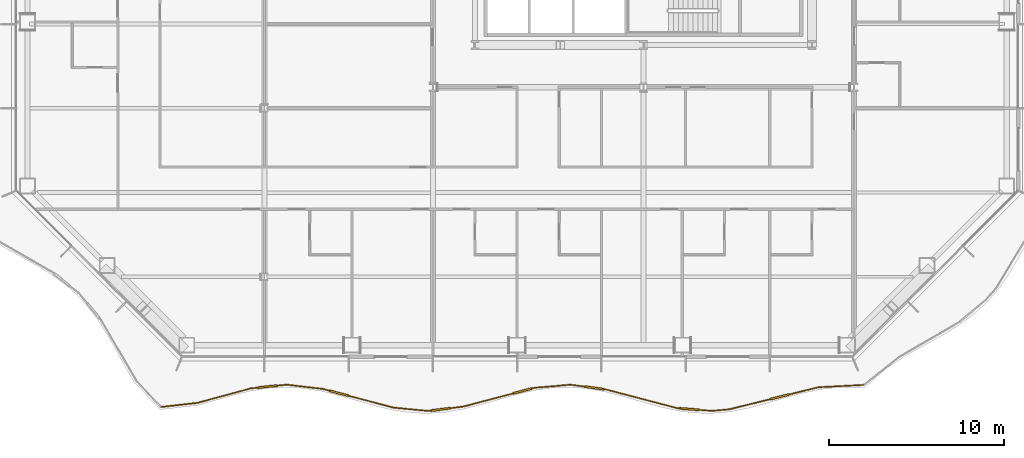
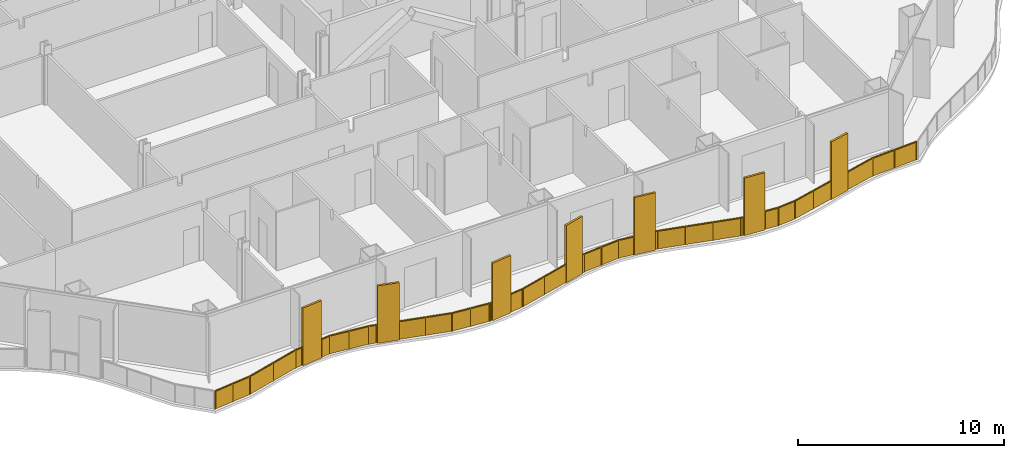
# One storey, part 15 of 20: 1 railing.
"""IFC4 building model written with IfcOpenShell, lengths in metres."""

from ifc_helpers import new_model, si_unit, direction, frame, origin, origin_2d, place, context, subcontext, project, spatial, polyline, rectangle, outline, extrude, material, type_object, element, save


model = new_model("IFC4")

# Units and contexts
model_context = context("Model", 3, precision=1e-05, world=origin(), true_north=direction((0.0, 1.0)))
body_context = subcontext(model_context, "Body", "Model", "MODEL_VIEW")
ifc_project = project(units=[si_unit("LENGTHUNIT", "METRE"), si_unit("AREAUNIT", "SQUARE_METRE"), si_unit("VOLUMEUNIT", "CUBIC_METRE"), si_unit("PLANEANGLEUNIT", "RADIAN"), si_unit("MASSUNIT", "GRAM", prefix="KILO")], contexts=[model_context])

# Site, building, storey
site_placement = place(None, origin())
site = spatial("IfcSite", under=ifc_project, at=site_placement, CompositionType="ELEMENT")
building_placement = place(site_placement, origin())
building = spatial("IfcBuilding", under=site, at=building_placement, Name="Cairn Pilgrim Tower", CompositionType="ELEMENT")
storey_placement = place(building_placement, frame((0.0, 0.0, 83.39990234375)))
storey = spatial("IfcBuildingStorey", under=building, at=storey_placement, Name="L19", CompositionType="ELEMENT", Elevation=83.39990234375)

# Railing
ifc_material = material(Name="Bronze anodised aluminium rail, posts and fin screens with laminated glass infill", Category="aluminium")
railing_type = type_object("IfcRailingType", Name="BALCONY GUARD WITH FIN SCREENS", PredefinedType="GUARDRAIL", material=ifc_material)
railing_placement = place(storey_placement, frame((-20.294189453125, -26.622802734375, 0.0)))
element("IfcRailing", 1, at=railing_placement, inside=storey, type_object=railing_type, Name="Balcony guard BGF-1 with fin screens", PredefinedType="GUARDRAIL", context=body_context, shape_type="SweptSolid", body=[
    extrude(rectangle(XDim=0.050048828125, YDim=0.050048828125, at=origin_2d()), frame((0.0, 0.0, 1.0751953125), z_axis=(0.993585282141, 0.113085309008, 0.0), x_axis=(-0.113085309008, 0.993585282141, 0.0)), (0.0, 0.0, 1.0), 2.08984375),
    extrude(rectangle(XDim=0.050048828125, YDim=0.050048828125, at=origin_2d()), frame((2.076416015625, 0.236328125, 1.0751953125), z_axis=(0.965044785258, 0.26208502904, 0.0), x_axis=(-0.26208502904, 0.965044785258, 0.0)), (0.0, 0.0, 1.0), 3.14208984375),
    extrude(rectangle(XDim=1.10009765625, YDim=0.110107421875, at=origin_2d()), frame((6.07275390625, 1.160400390625, 0.0), z_axis=(0.0, 0.0, 1.0), x_axis=(0.994613321271, 0.103654913782, 0.0)), (0.0, 0.0, 1.0), 3.39990234375),
    extrude(rectangle(XDim=0.050048828125, YDim=0.050048828125, at=origin_2d()), frame((5.108642578125, 1.059814453125, 1.0751953125), z_axis=(0.994613321271, 0.103654913782, 0.0), x_axis=(-0.103654913782, 0.994613321271, 0.0)), (0.0, 0.0, 1.0), 0.41943359375),
    extrude(rectangle(XDim=0.050048828125, YDim=0.050048828125, at=origin_2d()), frame((6.619873046875, 1.21728515625, 1.0751953125), z_axis=(0.994613321271, 0.103654913782, 0.0), x_axis=(-0.103654913782, 0.994613321271, 0.0)), (0.0, 0.0, 1.0), 0.54150390625),
    extrude(rectangle(XDim=0.050048828125, YDim=0.050048828125, at=origin_2d()), frame((7.158447265625, 1.2734375, 1.0751953125), z_axis=(0.993177246604, -0.116614565253, 0.0), x_axis=(0.116614565253, 0.993177246604, 0.0)), (0.0, 0.0, 1.0), 2.062255859375),
    extrude(rectangle(XDim=1.10009765625, YDim=0.110107421875, at=origin_2d()), frame((10.142578125, 0.78564453125, 0.0), z_axis=(0.0, 0.0, 1.0), x_axis=(0.966804610479, -0.255516819712, 0.0)), (0.0, 0.0, 1.0), 3.39990234375),
    extrude(rectangle(XDim=0.050048828125, YDim=0.050048828125, at=origin_2d()), frame((9.20654296875, 1.032958984375, 1.0751953125), z_axis=(0.966804610479, -0.255516819712, 0.0), x_axis=(0.255516819712, 0.966804610479, 0.0)), (0.0, 0.0, 1.0), 0.41796875),
    extrude(rectangle(XDim=0.050048828125, YDim=0.050048828125, at=origin_2d()), frame((10.67431640625, 0.64501953125, 1.0751953125), z_axis=(0.966804610479, -0.255516819712, 0.0), x_axis=(0.255516819712, 0.966804610479, 0.0)), (0.0, 0.0, 1.0), 2.6611328125),
    extrude(rectangle(XDim=0.050048828125, YDim=0.050048828125, at=origin_2d()), frame((13.2470703125, -0.034912109375, 1.0751953125), z_axis=(0.995474063991, -0.095033614687, 0.0), x_axis=(0.095033614687, 0.995474063991, 0.0)), (0.0, 0.0, 1.0), 2.001220703125),
    extrude(rectangle(XDim=1.10009765625, YDim=0.110107421875, at=origin_2d()), frame((15.933837890625, -0.137451171875, 0.0), z_axis=(0.0, 0.0, 1.0), x_axis=(0.99214654602, 0.125080898703, 0.0)), (0.0, 0.0, 1.0), 3.39990234375),
    extrude(rectangle(XDim=0.050048828125, YDim=0.050048828125, at=origin_2d()), frame((15.2392578125, -0.22509765625, 1.0751953125), z_axis=(0.99214654602, 0.125080898703, 0.0), x_axis=(-0.125080898703, 0.99214654602, 0.0)), (0.0, 0.0, 1.0), 0.150146484375),
    extrude(rectangle(XDim=0.050048828125, YDim=0.050048828125, at=origin_2d()), frame((16.4794921875, -0.06884765625, 1.0751953125), z_axis=(0.99214654602, 0.125080898703, 0.0), x_axis=(-0.125080898703, 0.99214654602, 0.0)), (0.0, 0.0, 1.0), 0.76025390625),
    extrude(rectangle(XDim=1.10009765625, YDim=0.110107421875, at=origin_2d()), frame((20.602294921875, 0.9150390625, 0.0), z_axis=(0.0, 0.0, 1.0), x_axis=(0.966920151627, 0.255079243331, 0.0)), (0.0, 0.0, 1.0), 3.39990234375),
    extrude(rectangle(XDim=0.050048828125, YDim=0.050048828125, at=origin_2d()), frame((17.23388671875, 0.0263671875, 1.0751953125), z_axis=(0.966920151627, 0.255079243331, 0.0), x_axis=(-0.255079243331, 0.966920151627, 0.0)), (0.0, 0.0, 1.0), 2.93359375),
    extrude(rectangle(XDim=0.050048828125, YDim=0.050048828125, at=origin_2d()), frame((21.134033203125, 1.05517578125, 1.0751953125), z_axis=(0.966920151627, 0.255079243331, 0.0), x_axis=(-0.255079243331, 0.966920151627, 0.0)), (0.0, 0.0, 1.0), 0.150146484375),
    extrude(rectangle(XDim=0.050048828125, YDim=0.050048828125, at=origin_2d()), frame((21.279052734375, 1.093505859375, 1.0751953125), z_axis=(0.996294259783, 0.086010161746, 0.0), x_axis=(-0.086010161746, 0.996294259783, 0.0)), (0.0, 0.0, 1.0), 2.057861328125),
    extrude(rectangle(XDim=1.10009765625, YDim=0.110107421875, at=origin_2d()), frame((24.682373046875, 1.088623046875, 0.0), z_axis=(0.0, 0.0, 1.0), x_axis=(0.99108379364, -0.133240061485, 0.0)), (0.0, 0.0, 1.0), 3.39990234375),
    extrude(rectangle(XDim=0.050048828125, YDim=0.050048828125, at=origin_2d()), frame((23.329345703125, 1.2705078125, 1.0751953125), z_axis=(0.99108379364, -0.133240061485, 0.0), x_axis=(0.133240061485, 0.99108379364, 0.0)), (0.0, 0.0, 1.0), 0.815185546875),
    extrude(rectangle(XDim=0.050048828125, YDim=0.050048828125, at=origin_2d()), frame((25.2275390625, 1.015380859375, 1.0751953125), z_axis=(0.99108379364, -0.133240061485, 0.0), x_axis=(0.133240061485, 0.99108379364, 0.0)), (0.0, 0.0, 1.0), 0.14990234375),
    extrude(rectangle(XDim=0.050048828125, YDim=0.050048828125, at=origin_2d()), frame((25.3759765625, 0.995361328125, 1.0751953125), z_axis=(0.967112396455, -0.254349390845, 0.0), x_axis=(0.254349390845, 0.967112396455, 0.0)), (0.0, 0.0, 1.0), 4.17529296875),
    extrude(rectangle(XDim=1.10009765625, YDim=0.110107421875, at=origin_2d()), frame((30.112060546875, -0.12060546875, 0.0), z_axis=(0.0, 0.0, 1.0), x_axis=(0.997022097783, -0.077116383037, 0.0)), (0.0, 0.0, 1.0), 3.39990234375),
    extrude(rectangle(XDim=0.050048828125, YDim=0.050048828125, at=origin_2d()), frame((29.4140625, -0.066650390625, 1.0751953125), z_axis=(0.997022097783, -0.077116383037, 0.0), x_axis=(0.077116383037, 0.997022097783, 0.0)), (0.0, 0.0, 1.0), 0.14990234375),
    extrude(rectangle(XDim=0.050048828125, YDim=0.050048828125, at=origin_2d()), frame((30.660400390625, -0.1630859375, 1.0751953125), z_axis=(0.997022097783, -0.077116383037, 0.0), x_axis=(0.077116383037, 0.997022097783, 0.0)), (0.0, 0.0, 1.0), 0.750732421875),
    extrude(rectangle(XDim=0.050048828125, YDim=0.050048828125, at=origin_2d()), frame((31.408935546875, -0.220947265625, 1.0751953125), z_axis=(0.995719697543, 0.092424476876, 0.0), x_axis=(-0.092424476876, 0.995719697543, 0.0)), (0.0, 0.0, 1.0), 0.990478515625),
    extrude(rectangle(XDim=1.10009765625, YDim=0.110107421875, at=origin_2d()), frame((35.2626953125, 0.58203125, 0.0), z_axis=(0.0, 0.0, 1.0), x_axis=(0.970571070207, 0.240814861828, 0.0)), (0.0, 0.0, 1.0), 3.39990234375),
    extrude(rectangle(XDim=0.050048828125, YDim=0.050048828125, at=origin_2d()), frame((32.395263671875, -0.12939453125, 1.0751953125), z_axis=(0.970571070207, 0.240814861828, 0.0), x_axis=(-0.240814861828, 0.970571070207, 0.0)), (0.0, 0.0, 1.0), 2.404296875),
    extrude(rectangle(XDim=0.050048828125, YDim=0.050048828125, at=origin_2d()), frame((35.79638671875, 0.714599609375, 1.0751953125), z_axis=(0.970571070207, 0.240814861828, 0.0), x_axis=(-0.240814861828, 0.970571070207, 0.0)), (0.0, 0.0, 1.0), 1.70458984375),
    extrude(rectangle(XDim=0.050048828125, YDim=0.050048828125, at=origin_2d()), frame((37.450927734375, 1.125, 1.0751953125), z_axis=(0.998649050949, 0.051962227041, 0.0), x_axis=(-0.051962227041, 0.998649050949, 0.0)), (0.0, 0.0, 1.0), 2.555908203125),
    extrude(rectangle(XDim=0.050048828125, YDim=0.050048828125, at=origin_2d()), origin(), (0.0, 0.0, 1.0), 1.050048828125),
    extrude(rectangle(XDim=0.050048828125, YDim=0.050048828125, at=origin_2d()), frame((1.0380859375, 0.1181640625, 0.0)), (0.0, 0.0, 1.0), 1.050048828125),
    extrude(rectangle(XDim=0.050048828125, YDim=0.050048828125, at=origin_2d()), frame((2.076416015625, 0.236328125, 0.0)), (0.0, 0.0, 1.0), 1.050048828125),
    extrude(rectangle(XDim=0.050048828125, YDim=0.050048828125, at=origin_2d()), frame((3.592529296875, 0.64794921875, 0.0)), (0.0, 0.0, 1.0), 1.050048828125),
    extrude(rectangle(XDim=0.050048828125, YDim=0.050048828125, at=origin_2d()), frame((5.108642578125, 1.059814453125, 0.0)), (0.0, 0.0, 1.0), 1.050048828125),
    extrude(rectangle(XDim=0.050048828125, YDim=0.050048828125, at=origin_2d()), frame((5.500732421875, 1.1005859375, 0.0)), (0.0, 0.0, 1.0), 1.050048828125),
    extrude(rectangle(XDim=0.050048828125, YDim=0.050048828125, at=origin_2d()), frame((6.644775390625, 1.219970703125, 0.0)), (0.0, 0.0, 1.0), 1.050048828125),
    extrude(rectangle(XDim=0.050048828125, YDim=0.050048828125, at=origin_2d()), frame((7.158447265625, 1.2734375, 0.0)), (0.0, 0.0, 1.0), 1.050048828125),
    extrude(rectangle(XDim=0.050048828125, YDim=0.050048828125, at=origin_2d()), frame((8.1826171875, 1.1533203125, 0.0)), (0.0, 0.0, 1.0), 1.050048828125),
    extrude(rectangle(XDim=0.050048828125, YDim=0.050048828125, at=origin_2d()), frame((9.20654296875, 1.032958984375, 0.0)), (0.0, 0.0, 1.0), 1.050048828125),
    extrude(rectangle(XDim=0.050048828125, YDim=0.050048828125, at=origin_2d()), frame((9.58642578125, 0.9326171875, 0.0)), (0.0, 0.0, 1.0), 1.050048828125),
    extrude(rectangle(XDim=0.050048828125, YDim=0.050048828125, at=origin_2d()), frame((10.698486328125, 0.638671875, 0.0)), (0.0, 0.0, 1.0), 1.050048828125),
    extrude(rectangle(XDim=0.050048828125, YDim=0.050048828125, at=origin_2d()), frame((11.97265625, 0.302001953125, 0.0)), (0.0, 0.0, 1.0), 1.050048828125),
    extrude(rectangle(XDim=0.050048828125, YDim=0.050048828125, at=origin_2d()), frame((13.2470703125, -0.034912109375, 0.0)), (0.0, 0.0, 1.0), 1.050048828125),
    extrude(rectangle(XDim=0.050048828125, YDim=0.050048828125, at=origin_2d()), frame((14.2431640625, -0.1298828125, 0.0)), (0.0, 0.0, 1.0), 1.050048828125),
    extrude(rectangle(XDim=0.050048828125, YDim=0.050048828125, at=origin_2d()), frame((15.2392578125, -0.22509765625, 0.0)), (0.0, 0.0, 1.0), 1.050048828125),
    extrude(rectangle(XDim=0.050048828125, YDim=0.050048828125, at=origin_2d()), frame((15.36328125, -0.20947265625, 0.0)), (0.0, 0.0, 1.0), 1.050048828125),
    extrude(rectangle(XDim=0.050048828125, YDim=0.050048828125, at=origin_2d()), frame((16.50439453125, -0.065673828125, 0.0)), (0.0, 0.0, 1.0), 1.050048828125),
    extrude(rectangle(XDim=0.050048828125, YDim=0.050048828125, at=origin_2d()), frame((17.23388671875, 0.0263671875, 0.0)), (0.0, 0.0, 1.0), 1.050048828125),
    extrude(rectangle(XDim=0.050048828125, YDim=0.050048828125, at=origin_2d()), frame((18.64013671875, 0.397216796875, 0.0)), (0.0, 0.0, 1.0), 1.050048828125),
    extrude(rectangle(XDim=0.050048828125, YDim=0.050048828125, at=origin_2d()), frame((20.046142578125, 0.768310546875, 0.0)), (0.0, 0.0, 1.0), 1.050048828125),
    extrude(rectangle(XDim=0.050048828125, YDim=0.050048828125, at=origin_2d()), frame((21.158203125, 1.0615234375, 0.0)), (0.0, 0.0, 1.0), 1.050048828125),
    extrude(rectangle(XDim=0.050048828125, YDim=0.050048828125, at=origin_2d()), frame((21.279052734375, 1.093505859375, 0.0)), (0.0, 0.0, 1.0), 1.050048828125),
    extrude(rectangle(XDim=0.050048828125, YDim=0.050048828125, at=origin_2d()), frame((22.30419921875, 1.18212890625, 0.0)), (0.0, 0.0, 1.0), 1.050048828125),
    extrude(rectangle(XDim=0.050048828125, YDim=0.050048828125, at=origin_2d()), frame((23.329345703125, 1.2705078125, 0.0)), (0.0, 0.0, 1.0), 1.050048828125),
    extrude(rectangle(XDim=0.050048828125, YDim=0.050048828125, at=origin_2d()), frame((24.1123046875, 1.165283203125, 0.0)), (0.0, 0.0, 1.0), 1.050048828125),
    extrude(rectangle(XDim=0.050048828125, YDim=0.050048828125, at=origin_2d()), frame((25.252197265625, 1.011962890625, 0.0)), (0.0, 0.0, 1.0), 1.050048828125),
    extrude(rectangle(XDim=0.050048828125, YDim=0.050048828125, at=origin_2d()), frame((25.3759765625, 0.995361328125, 0.0)), (0.0, 0.0, 1.0), 1.050048828125),
    extrude(rectangle(XDim=0.050048828125, YDim=0.050048828125, at=origin_2d()), frame((26.721923828125, 0.641357421875, 0.0)), (0.0, 0.0, 1.0), 1.050048828125),
    extrude(rectangle(XDim=0.050048828125, YDim=0.050048828125, at=origin_2d()), frame((28.068115234375, 0.287353515625, 0.0)), (0.0, 0.0, 1.0), 1.050048828125),
    extrude(rectangle(XDim=0.050048828125, YDim=0.050048828125, at=origin_2d()), frame((29.4140625, -0.066650390625, 0.0)), (0.0, 0.0, 1.0), 1.050048828125),
    extrude(rectangle(XDim=0.050048828125, YDim=0.050048828125, at=origin_2d()), frame((29.53857421875, -0.076171875, 0.0)), (0.0, 0.0, 1.0), 1.050048828125),
    extrude(rectangle(XDim=0.050048828125, YDim=0.050048828125, at=origin_2d()), frame((30.685302734375, -0.1650390625, 0.0)), (0.0, 0.0, 1.0), 1.050048828125),
    extrude(rectangle(XDim=0.050048828125, YDim=0.050048828125, at=origin_2d()), frame((31.408935546875, -0.220947265625, 0.0)), (0.0, 0.0, 1.0), 1.050048828125),
    extrude(rectangle(XDim=0.050048828125, YDim=0.050048828125, at=origin_2d()), frame((32.395263671875, -0.12939453125, 0.0)), (0.0, 0.0, 1.0), 1.050048828125),
    extrude(rectangle(XDim=0.050048828125, YDim=0.050048828125, at=origin_2d()), frame((33.5498046875, 0.156982421875, 0.0)), (0.0, 0.0, 1.0), 1.050048828125),
    extrude(rectangle(XDim=0.050048828125, YDim=0.050048828125, at=origin_2d()), frame((34.70458984375, 0.443603515625, 0.0)), (0.0, 0.0, 1.0), 1.050048828125),
    extrude(rectangle(XDim=0.050048828125, YDim=0.050048828125, at=origin_2d()), frame((35.82080078125, 0.720458984375, 0.0)), (0.0, 0.0, 1.0), 1.050048828125),
    extrude(rectangle(XDim=0.050048828125, YDim=0.050048828125, at=origin_2d()), frame((37.450927734375, 1.125, 0.0)), (0.0, 0.0, 1.0), 1.050048828125),
    extrude(rectangle(XDim=0.050048828125, YDim=0.050048828125, at=origin_2d()), frame((38.72705078125, 1.19140625, 0.0)), (0.0, 0.0, 1.0), 1.050048828125),
    extrude(rectangle(XDim=0.050048828125, YDim=0.050048828125, at=origin_2d()), frame((40.00341796875, 1.2578125, 0.0)), (0.0, 0.0, 1.0), 1.050048828125),
    extrude(outline(polyline([(0.02490234375, 0.0), (1.019775390625, 0.0), (1.019775390625, 1.050048828125), (0.02490234375, 1.050048828125), (0.02490234375, 0.0)])), frame((-0.000732421875, 0.005859375, 0.0), z_axis=(0.113085309008, -0.993585282141, 0.0), x_axis=(0.993585282141, 0.113085309008, 0.0)), (0.0, 0.0, 1.0), 0.011962890625),
    extrude(outline(polyline([(0.02490234375, 0.0), (1.019775390625, 0.0), (1.019775390625, 1.050048828125), (0.02490234375, 1.050048828125), (0.02490234375, 0.0)])), frame((1.03759765625, 0.1240234375, 0.0), z_axis=(0.113085309008, -0.993585282141, 0.0), x_axis=(0.993585282141, 0.113085309008, 0.0)), (0.0, 0.0, 1.0), 0.011962890625),
    extrude(outline(polyline([(0.02490234375, 0.0), (1.5458984375, 0.0), (1.5458984375, 1.050048828125), (0.02490234375, 1.050048828125), (0.02490234375, 0.0)])), frame((2.074951171875, 0.2421875, 0.0), z_axis=(0.26208502904, -0.965044785258, 0.0), x_axis=(0.965044785258, 0.26208502904, 0.0)), (0.0, 0.0, 1.0), 0.011962890625),
    extrude(outline(polyline([(0.02490234375, 0.0), (1.5458984375, 0.0), (1.5458984375, 1.050048828125), (0.02490234375, 1.050048828125), (0.02490234375, 0.0)])), frame((3.591064453125, 0.65380859375, 0.0), z_axis=(0.26208502904, -0.965044785258, 0.0), x_axis=(0.965044785258, 0.26208502904, 0.0)), (0.0, 0.0, 1.0), 0.011962890625),
    extrude(outline(polyline([(0.02490234375, 0.0), (0.369384765625, 0.0), (0.369384765625, 1.050048828125), (0.02490234375, 1.050048828125), (0.02490234375, 0.0)])), frame((5.10791015625, 1.065673828125, 0.0), z_axis=(0.103654913782, -0.994613321271, 0.0), x_axis=(0.994613321271, 0.103654913782, 0.0)), (0.0, 0.0, 1.0), 0.011962890625),
    extrude(outline(polyline([(0.02490234375, 0.0), (0.491455078125, 0.0), (0.491455078125, 1.050048828125), (0.02490234375, 1.050048828125), (0.02490234375, 0.0)])), frame((6.64404296875, 1.225830078125, 0.0), z_axis=(0.103654913782, -0.994613321271, 0.0), x_axis=(0.994613321271, 0.103654913782, 0.0)), (0.0, 0.0, 1.0), 0.011962890625),
    extrude(outline(polyline([(0.02490234375, 0.0), (1.006103515625, 0.0), (1.006103515625, 1.050048828125), (0.02490234375, 1.050048828125), (0.02490234375, 0.0)])), frame((7.1591796875, 1.279296875, 0.0), z_axis=(-0.116614565253, -0.993177246604, 0.0), x_axis=(0.993177246604, -0.116614565253, 0.0)), (0.0, 0.0, 1.0), 0.011962890625),
    extrude(outline(polyline([(0.02490234375, 0.0), (1.006103515625, 0.0), (1.006103515625, 1.050048828125), (0.02490234375, 1.050048828125), (0.02490234375, 0.0)])), frame((8.18310546875, 1.1591796875, 0.0), z_axis=(-0.116614565253, -0.993177246604, 0.0), x_axis=(0.993177246604, -0.116614565253, 0.0)), (0.0, 0.0, 1.0), 0.011962890625),
    extrude(outline(polyline([(0.02490234375, 0.0), (0.367919921875, 0.0), (0.367919921875, 1.050048828125), (0.02490234375, 1.050048828125), (0.02490234375, 0.0)])), frame((9.2080078125, 1.038818359375, 0.0), z_axis=(-0.255516819712, -0.966804610479, 0.0), x_axis=(0.966804610479, -0.255516819712, 0.0)), (0.0, 0.0, 1.0), 0.011962890625),
    extrude(outline(polyline([(0.02490234375, 0.0), (1.29296875, 0.0), (1.29296875, 1.050048828125), (0.02490234375, 1.050048828125), (0.02490234375, 0.0)])), frame((10.699951171875, 0.64453125, 0.0), z_axis=(-0.255516819712, -0.966804610479, 0.0), x_axis=(0.966804610479, -0.255516819712, 0.0)), (0.0, 0.0, 1.0), 0.011962890625),
    extrude(outline(polyline([(0.02490234375, 0.0), (1.29296875, 0.0), (1.29296875, 1.050048828125), (0.02490234375, 1.050048828125), (0.02490234375, 0.0)])), frame((11.974365234375, 0.3076171875, 0.0), z_axis=(-0.255516819712, -0.966804610479, 0.0), x_axis=(0.966804610479, -0.255516819712, 0.0)), (0.0, 0.0, 1.0), 0.011962890625),
    extrude(outline(polyline([(0.02490234375, 0.0), (0.9755859375, 0.0), (0.9755859375, 1.050048828125), (0.02490234375, 1.050048828125), (0.02490234375, 0.0)])), frame((13.24755859375, -0.029052734375, 0.0), z_axis=(-0.095033614687, -0.995474063991, 0.0), x_axis=(0.995474063991, -0.095033614687, 0.0)), (0.0, 0.0, 1.0), 0.011962890625),
    extrude(outline(polyline([(0.02490234375, 0.0), (0.9755859375, 0.0), (0.9755859375, 1.050048828125), (0.02490234375, 1.050048828125), (0.02490234375, 0.0)])), frame((14.24365234375, -0.1240234375, 0.0), z_axis=(-0.095033614687, -0.995474063991, 0.0), x_axis=(0.995474063991, -0.095033614687, 0.0)), (0.0, 0.0, 1.0), 0.011962890625),
    extrude(outline(polyline([(0.02490234375, 0.0), (0.10009765625, 0.0), (0.10009765625, 1.050048828125), (0.02490234375, 1.050048828125), (0.02490234375, 0.0)])), frame((15.238525390625, -0.21923828125, 0.0), z_axis=(0.125080898703, -0.99214654602, 0.0), x_axis=(0.99214654602, 0.125080898703, 0.0)), (0.0, 0.0, 1.0), 0.011962890625),
    extrude(outline(polyline([(0.02490234375, 0.0), (0.710205078125, 0.0), (0.710205078125, 1.050048828125), (0.02490234375, 1.050048828125), (0.02490234375, 0.0)])), frame((16.503662109375, -0.0595703125, 0.0), z_axis=(0.125080898703, -0.99214654602, 0.0), x_axis=(0.99214654602, 0.125080898703, 0.0)), (0.0, 0.0, 1.0), 0.011962890625),
    extrude(outline(polyline([(0.02490234375, 0.0), (1.42919921875, 0.0), (1.42919921875, 1.050048828125), (0.02490234375, 1.050048828125), (0.02490234375, 0.0)])), frame((17.232421875, 0.0322265625, 0.0), z_axis=(0.255079243331, -0.966920151627, 0.0), x_axis=(0.966920151627, 0.255079243331, 0.0)), (0.0, 0.0, 1.0), 0.011962890625),
    extrude(outline(polyline([(0.02490234375, 0.0), (1.42919921875, 0.0), (1.42919921875, 1.050048828125), (0.02490234375, 1.050048828125), (0.02490234375, 0.0)])), frame((18.638427734375, 0.403076171875, 0.0), z_axis=(0.255079243331, -0.966920151627, 0.0), x_axis=(0.966920151627, 0.255079243331, 0.0)), (0.0, 0.0, 1.0), 0.011962890625),
    extrude(outline(polyline([(0.02490234375, 0.0), (0.10009765625, 0.0), (0.10009765625, 1.050048828125), (0.02490234375, 1.050048828125), (0.02490234375, 0.0)])), frame((21.15673828125, 1.0673828125, 0.0), z_axis=(0.255079243331, -0.966920151627, 0.0), x_axis=(0.966920151627, 0.255079243331, 0.0)), (0.0, 0.0, 1.0), 0.011962890625),
    extrude(outline(polyline([(0.02490234375, 0.0), (1.00390625, 0.0), (1.00390625, 1.050048828125), (0.02490234375, 1.050048828125), (0.02490234375, 0.0)])), frame((21.278564453125, 1.099365234375, 0.0), z_axis=(0.086010161746, -0.996294259783, 0.0), x_axis=(0.996294259783, 0.086010161746, 0.0)), (0.0, 0.0, 1.0), 0.011962890625),
    extrude(outline(polyline([(0.02490234375, 0.0), (1.00390625, 0.0), (1.00390625, 1.050048828125), (0.02490234375, 1.050048828125), (0.02490234375, 0.0)])), frame((22.3037109375, 1.18798828125, 0.0), z_axis=(0.086010161746, -0.996294259783, 0.0), x_axis=(0.996294259783, 0.086010161746, 0.0)), (0.0, 0.0, 1.0), 0.011962890625),
    extrude(outline(polyline([(0.02490234375, 0.0), (0.76513671875, 0.0), (0.76513671875, 1.050048828125), (0.02490234375, 1.050048828125), (0.02490234375, 0.0)])), frame((23.330078125, 1.2763671875, 0.0), z_axis=(-0.133240061485, -0.99108379364, 0.0), x_axis=(0.99108379364, -0.133240061485, 0.0)), (0.0, 0.0, 1.0), 0.011962890625),
    extrude(outline(polyline([(0.02490234375, 0.0), (0.099853515625, 0.0), (0.099853515625, 1.050048828125), (0.02490234375, 1.050048828125), (0.02490234375, 0.0)])), frame((25.2529296875, 1.017822265625, 0.0), z_axis=(-0.133240061485, -0.99108379364, 0.0), x_axis=(0.99108379364, -0.133240061485, 0.0)), (0.0, 0.0, 1.0), 0.011962890625),
    extrude(outline(polyline([(0.02490234375, 0.0), (1.36669921875, 0.0), (1.36669921875, 1.050048828125), (0.02490234375, 1.050048828125), (0.02490234375, 0.0)])), frame((25.37744140625, 1.001220703125, 0.0), z_axis=(-0.254349390845, -0.967112396455, 0.0), x_axis=(0.967112396455, -0.254349390845, 0.0)), (0.0, 0.0, 1.0), 0.011962890625),
    extrude(outline(polyline([(0.02490234375, 0.0), (1.36669921875, 0.0), (1.36669921875, 1.050048828125), (0.02490234375, 1.050048828125), (0.02490234375, 0.0)])), frame((26.7236328125, 0.647216796875, 0.0), z_axis=(-0.254349390845, -0.967112396455, 0.0), x_axis=(0.967112396455, -0.254349390845, 0.0)), (0.0, 0.0, 1.0), 0.011962890625),
    extrude(outline(polyline([(0.02490234375, 0.0), (1.36669921875, 0.0), (1.36669921875, 1.050048828125), (0.02490234375, 1.050048828125), (0.02490234375, 0.0)])), frame((28.069580078125, 0.293212890625, 0.0), z_axis=(-0.254349390845, -0.967112396455, 0.0), x_axis=(0.967112396455, -0.254349390845, 0.0)), (0.0, 0.0, 1.0), 0.011962890625),
    extrude(outline(polyline([(0.02490234375, 0.0), (0.099853515625, 0.0), (0.099853515625, 1.050048828125), (0.02490234375, 1.050048828125), (0.02490234375, 0.0)])), frame((29.41455078125, -0.060791015625, 0.0), z_axis=(-0.077116383037, -0.997022097783, 0.0), x_axis=(0.997022097783, -0.077116383037, 0.0)), (0.0, 0.0, 1.0), 0.011962890625),
    extrude(outline(polyline([(0.02490234375, 0.0), (0.70068359375, 0.0), (0.70068359375, 1.050048828125), (0.02490234375, 1.050048828125), (0.02490234375, 0.0)])), frame((30.685791015625, -0.158935546875, 0.0), z_axis=(-0.077116383037, -0.997022097783, 0.0), x_axis=(0.997022097783, -0.077116383037, 0.0)), (0.0, 0.0, 1.0), 0.011962890625),
    extrude(outline(polyline([(0.02490234375, 0.0), (0.965576171875, 0.0), (0.965576171875, 1.050048828125), (0.02490234375, 1.050048828125), (0.02490234375, 0.0)])), frame((31.408447265625, -0.215087890625, 0.0), z_axis=(0.092424476876, -0.995719697543, 0.0), x_axis=(0.995719697543, 0.092424476876, 0.0)), (0.0, 0.0, 1.0), 0.011962890625),
    extrude(outline(polyline([(0.02490234375, 0.0), (1.16455078125, 0.0), (1.16455078125, 1.050048828125), (0.02490234375, 1.050048828125), (0.02490234375, 0.0)])), frame((32.393798828125, -0.12353515625, 0.0), z_axis=(0.240814861828, -0.970571070207, 0.0), x_axis=(0.970571070207, 0.240814861828, 0.0)), (0.0, 0.0, 1.0), 0.011962890625),
    extrude(outline(polyline([(0.02490234375, 0.0), (1.16455078125, 0.0), (1.16455078125, 1.050048828125), (0.02490234375, 1.050048828125), (0.02490234375, 0.0)])), frame((33.54833984375, 0.162841796875, 0.0), z_axis=(0.240814861828, -0.970571070207, 0.0), x_axis=(0.970571070207, 0.240814861828, 0.0)), (0.0, 0.0, 1.0), 0.011962890625),
    extrude(outline(polyline([(0.02490234375, 0.0), (1.654541015625, 0.0), (1.654541015625, 1.050048828125), (0.02490234375, 1.050048828125), (0.02490234375, 0.0)])), frame((35.8193359375, 0.726318359375, 0.0), z_axis=(0.240814861828, -0.970571070207, 0.0), x_axis=(0.970571070207, 0.240814861828, 0.0)), (0.0, 0.0, 1.0), 0.011962890625),
    extrude(outline(polyline([(0.02490234375, 0.0), (1.2529296875, 0.0), (1.2529296875, 1.050048828125), (0.02490234375, 1.050048828125), (0.02490234375, 0.0)])), frame((37.45068359375, 1.130859375, 0.0), z_axis=(0.051962227041, -0.998649050949, 0.0), x_axis=(0.998649050949, 0.051962227041, 0.0)), (0.0, 0.0, 1.0), 0.011962890625),
    extrude(outline(polyline([(0.02490234375, 0.0), (1.2529296875, 0.0), (1.2529296875, 1.050048828125), (0.02490234375, 1.050048828125), (0.02490234375, 0.0)])), frame((38.726806640625, 1.197265625, 0.0), z_axis=(0.051962227041, -0.998649050949, 0.0), x_axis=(0.998649050949, 0.051962227041, 0.0)), (0.0, 0.0, 1.0), 0.011962890625),
])

save(model, "model.ifc")
